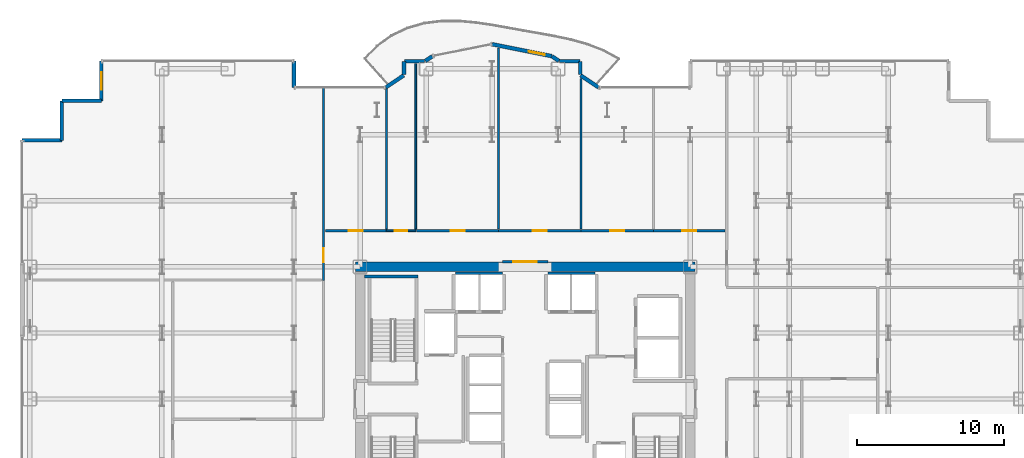
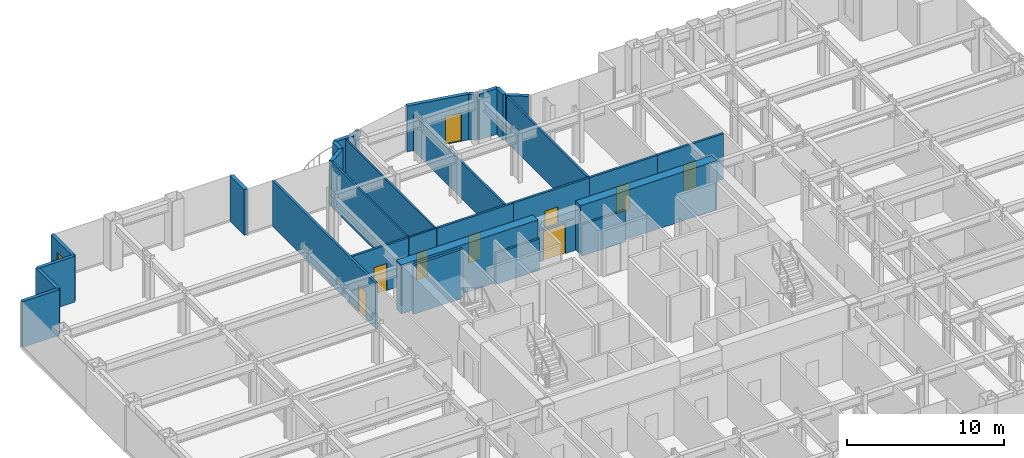
# One storey, part 26 of 29: 31 walls, 9 doors, 1 window, 10 openings.
"""IFC4 building model written with IfcOpenShell, lengths in metres."""

from ifc_helpers import new_model, si_unit, direction, frame, frame_2d, origin, place, context, subcontext, project, spatial, rectangle, extrude, source, transform, mapped, material, layer, layer_set, type_object, element, fill, save


model = new_model("IFC4")

# Units and contexts
model_context = context("Model", 3, precision=1e-05, world=origin(), true_north=direction((0.0, 1.0)))
body_context = subcontext(model_context, "Body", "Model", "MODEL_VIEW")
ifc_project = project(units=[si_unit("LENGTHUNIT", "METRE"), si_unit("AREAUNIT", "SQUARE_METRE"), si_unit("VOLUMEUNIT", "CUBIC_METRE"), si_unit("PLANEANGLEUNIT", "RADIAN"), si_unit("MASSUNIT", "GRAM", prefix="KILO")], contexts=[model_context])

# Site, building, storey
site_placement = place(None, origin())
site = spatial("IfcSite", under=ifc_project, at=site_placement, CompositionType="ELEMENT")
building_placement = place(site_placement, origin())
building = spatial("IfcBuilding", under=site, at=building_placement, Name="Nefas-Gora Pilgrimage Tower", CompositionType="ELEMENT")
storey_placement = place(building_placement, frame((0.0, 0.0, 78.60009765625)))
storey = spatial("IfcBuildingStorey", under=building, at=storey_placement, Name="L18", CompositionType="ELEMENT", Elevation=78.60009765625)

# Walls
ifc_material_1 = material(Name="Concrete C60/75", Category="concrete")
ifc_layer_1 = layer(ifc_material_1, 0.64990234375)
ifc_layer_set_1 = layer_set([ifc_layer_1], Name="Concrete C60/75")
wall_type_1 = type_object("IfcWallType", Name="SW-CORE-650", PredefinedType="SHEAR", material=ifc_layer_set_1)
shared_shape_1 = source(origin(), body_context, "Body", "SweptSolid", [
    extrude(rectangle(XDim=10.02490234375, YDim=0.64990234375, at=frame_2d((5.012451171875, 0.0))), origin(), (0.0, 0.0, 1.0), 3.7998046875),
])
for number, where, z_axis, x_axis, name in (
    (1, (-11.574951171875, 9.0, 0.0), (0.0, 0.0, 1.0), (1.0, 0.0, 0.0), "L18 Core Shear Wall N-West"),
    (2, (1.550048828125, 9.0, 0.0), (0.0, 0.0, 1.0), (1.0, 0.0, 0.0), "L18 Core Shear Wall N-East"),
):
    element("IfcWall", number, at=place(storey_placement, frame(where, z_axis=z_axis, x_axis=x_axis)), inside=storey, type_object=wall_type_1, Name=name, PredefinedType="SHEAR", context=body_context, shape_type="MappedRepresentation", body=[
        mapped(shared_shape_1, transform((0.0, 0.0, 0.0), x_axis=(1.0, 0.0, 0.0), y_axis=(0.0, 1.0, 0.0), z_axis=(0.0, 0.0, 1.0), scale=1.0)),
    ])
ifc_material_2 = material(Name="Precast concrete C40/50", Category="concrete")
ifc_layer_2 = layer(ifc_material_2, 0.260009765625)
ifc_layer_set_2 = layer_set([ifc_layer_2], Name="Precast concrete C40/50")
wall_type_2 = type_object("IfcWallType", Name="EW-PORTAL-260", PredefinedType="SOLIDWALL", material=ifc_layer_set_2)
shared_shape_2 = source(origin(), body_context, "Body", "SweptSolid", [
    extrude(rectangle(XDim=1.800048828125, YDim=0.260009765625, at=frame_2d((0.89990234375, 0.0))), origin(), (0.0, 0.0, 1.0), 3.5498046875),
])
wall_1_placement = place(storey_placement, frame((-15.75, 21.219970703125, 0.0), z_axis=(0.0, 0.0, 1.0), x_axis=(0.0, 1.0, 0.0)))
element("IfcWall", 3, at=wall_1_placement, inside=storey, type_object=wall_type_2, Name="L18 Lobe Shoulder Precast Spandrel Pier 24", PredefinedType="SOLIDWALL", context=body_context, shape_type="MappedRepresentation", body=[
    mapped(shared_shape_2, transform((0.0, 0.0, 0.0), x_axis=(1.0, 0.0, 0.0), y_axis=(0.0, 1.0, 0.0), z_axis=(0.0, 0.0, 1.0), scale=1.0)),
])

# Wall, opening, window
ifc_material_3 = material(Name="Precast concrete C45/55", Category="concrete")
ifc_layer_3 = layer(ifc_material_3, 0.239990234375)
ifc_layer_set_3 = layer_set([ifc_layer_3], Name="Precast concrete C45/55")
wall_type_3 = type_object("IfcWallType", Name="EW-SERR-240", PredefinedType="SHEAR", material=ifc_layer_set_3)
shared_shape_3 = source(origin(), body_context, "Body", "SweptSolid", [
    extrude(rectangle(XDim=2.699951171875, YDim=0.239990234375, at=frame_2d((1.35009765625, 0.0))), origin(), (0.0, 0.0, 1.0), 3.5498046875),
])
wall_2_placement = place(storey_placement, frame((-28.8701171875, 23.02001953125, 0.0), z_axis=(0.0, 0.0, 1.0), x_axis=(0.0, -1.0, 0.0)))
wall_2 = element("IfcWall", 4, at=wall_2_placement, inside=storey, type_object=wall_type_3, Name="L18 Serrated Corner Shear Pier Wall 25", PredefinedType="SHEAR", context=body_context, shape_type="MappedRepresentation", body=[
    mapped(shared_shape_3, transform((0.0, 0.0, 0.0), x_axis=(1.0, 0.0, 0.0), y_axis=(0.0, 1.0, 0.0), z_axis=(0.0, 0.0, 1.0), scale=1.0)),
])
opening_1_placement = place(wall_2_placement, frame((0.75, 0.0, 0.85009765625)))
opening_1 = element("IfcOpeningElement", 5, at=opening_1_placement, cuts=wall_2, Name="Opening W-V1", PredefinedType="OPENING", context=body_context, shape_type="SweptSolid", body=[
    extrude(rectangle(XDim=1.199951171875, YDim=1.800048828125, at=frame_2d((0.60009765625, 0.89990234375))), frame((0.0, 0.1298828125, 0.0), z_axis=(0.0, -1.0, 0.0), x_axis=(1.0, 0.0, 0.0)), (0.0, 0.0, 1.0), 0.260009765625),
])
ifc_material_4 = material(Name="Dark ceramic-fritted operable aluminium-glass window", Category="aluminium")
window_type = type_object("IfcWindowType", Name="WIN-VENT-1200x1800", PartitioningType="SINGLE_PANEL", PredefinedType="WINDOW", material=ifc_material_4)
shared_shape_4 = source(origin(), body_context, "Body", "SweptSolid", [
    extrude(rectangle(XDim=1.199951171875, YDim=1.800048828125, at=frame_2d((0.60009765625, 0.89990234375))), frame((0.0, 0.030029296875, 0.0), z_axis=(0.0, -1.0, 0.0), x_axis=(1.0, 0.0, 0.0)), (0.0, 0.0, 1.0), 0.06005859375),
])
window_placement = place(opening_1_placement, origin())
window = element("IfcWindow", 6, at=window_placement, inside=storey, type_object=window_type, Name="L18 Operable Parallel-Outswing Window 25", OverallHeight=1.800048828125, OverallWidth=1.199951171875, PartitioningType="SINGLE_PANEL", PredefinedType="WINDOW", context=body_context, shape_type="MappedRepresentation", body=[
    mapped(shared_shape_4, transform((0.0, 0.0, 0.0), x_axis=(1.0, 0.0, 0.0), y_axis=(0.0, 1.0, 0.0), z_axis=(0.0, 0.0, 1.0), scale=1.0)),
])
fill(opening_1, window)

# Walls
for number, where, z_axis, x_axis, name in (
    (7, (-28.8701171875, 20.320068359375, 0.0), (0.0, 0.0, 1.0), (-1.0, 0.0, 0.0), "L18 Serrated Corner Shear Pier Wall 26"),
    (8, (-31.570068359375, 20.320068359375, 0.0), (0.0, 0.0, 1.0), (0.0, -1.0, 0.0), "L18 Serrated Corner Shear Pier Wall 27"),
    (9, (-31.570068359375, 17.6201171875, 0.0), (0.0, 0.0, 1.0), (-1.0, 0.0, 0.0), "L18 Serrated Corner Shear Pier Wall 28"),
):
    element("IfcWall", number, at=place(storey_placement, frame(where, z_axis=z_axis, x_axis=x_axis)), inside=storey, type_object=wall_type_3, Name=name, PredefinedType="SHEAR", context=body_context, shape_type="MappedRepresentation", body=[
        mapped(shared_shape_3, transform((0.0, 0.0, 0.0), x_axis=(1.0, 0.0, 0.0), y_axis=(0.0, 1.0, 0.0), z_axis=(0.0, 0.0, 1.0), scale=1.0)),
    ])
shared_shape_5 = source(origin(), body_context, "Body", "SweptSolid", [
    extrude(rectangle(XDim=1.468994140625, YDim=0.260009765625, at=frame_2d((0.734375, 0.0))), origin(), (0.0, 0.0, 1.0), 3.5498046875),
])
for number, where, z_axis, x_axis, name in (
    (10, (4.99462890625, 21.235595703125, 0.0), (0.0, 0.0, 1.0), (-0.831461760506, 0.555581983884, 0.0), "L18 Lobe Shoulder Precast Spandrel Pier 15"),
    (11, (-8.273193359375, 22.0517578125, 0.0), (0.0, 0.0, 1.0), (-0.831461760506, -0.555581983884, 0.0), "L18 Lobe Shoulder Precast Spandrel Pier 23"),
):
    element("IfcWall", number, at=place(storey_placement, frame(where, z_axis=z_axis, x_axis=x_axis)), inside=storey, type_object=wall_type_2, Name=name, PredefinedType="SOLIDWALL", context=body_context, shape_type="MappedRepresentation", body=[
        mapped(shared_shape_5, transform((0.0, 0.0, 0.0), x_axis=(1.0, 0.0, 0.0), y_axis=(0.0, 1.0, 0.0), z_axis=(0.0, 0.0, 1.0), scale=1.0)),
    ])
shared_shape_6 = source(origin(), body_context, "Body", "SweptSolid", [
    extrude(rectangle(XDim=0.896728515625, YDim=0.260009765625, at=frame_2d((0.4482421875, 0.0))), origin(), (0.0, 0.0, 1.0), 3.5498046875),
])
for number, where, z_axis, x_axis, name in (
    (12, (3.75, 22.09521484375, 0.0), (0.0, 0.0, 1.0), (0.0, 1.0, 0.0), "L18 Lobe Shoulder Precast Spandrel Pier 16"),
    (13, (-8.25, 22.991943359375, 0.0), (0.0, 0.0, 1.0), (0.0, -1.0, 0.0), "L18 Lobe Shoulder Precast Spandrel Pier 22"),
):
    element("IfcWall", number, at=place(storey_placement, frame(where, z_axis=z_axis, x_axis=x_axis)), inside=storey, type_object=wall_type_2, Name=name, PredefinedType="SOLIDWALL", context=body_context, shape_type="MappedRepresentation", body=[
        mapped(shared_shape_6, transform((0.0, 0.0, 0.0), x_axis=(1.0, 0.0, 0.0), y_axis=(0.0, 1.0, 0.0), z_axis=(0.0, 0.0, 1.0), scale=1.0)),
    ])
shared_shape_7 = source(origin(), body_context, "Body", "SweptSolid", [
    extrude(rectangle(XDim=1.369873046875, YDim=0.260009765625, at=frame_2d((0.68505859375, 0.0))), origin(), (0.0, 0.0, 1.0), 3.5498046875),
])
for number, where, z_axis, x_axis, name in (
    (14, (3.721923828125, 23.02001953125, 0.0), (0.0, 0.0, 1.0), (-1.0, 0.0, 0.0), "L18 Lobe Shoulder Precast Spandrel Pier 17"),
    (15, (-6.85205078125, 23.02001953125, 0.0), (0.0, 0.0, 1.0), (-1.0, 0.0, 0.0), "L18 Lobe Shoulder Precast Spandrel Pier 21"),
):
    element("IfcWall", number, at=place(storey_placement, frame(where, z_axis=z_axis, x_axis=x_axis)), inside=storey, type_object=wall_type_2, Name=name, PredefinedType="SOLIDWALL", context=body_context, shape_type="MappedRepresentation", body=[
        mapped(shared_shape_7, transform((0.0, 0.0, 0.0), x_axis=(1.0, 0.0, 0.0), y_axis=(0.0, 1.0, 0.0), z_axis=(0.0, 0.0, 1.0), scale=1.0)),
    ])
shared_shape_8 = source(origin(), body_context, "Body", "SweptSolid", [
    extrude(rectangle(XDim=0.5654296875, YDim=0.260009765625, at=frame_2d((0.28271484375, 0.0))), origin(), (0.0, 0.0, 1.0), 3.5498046875),
])
for number, where, z_axis, x_axis, name in (
    (16, (2.30078125, 23.03564453125, 0.0), (0.0, 0.0, 1.0), (-0.831651492666, 0.555297933317, 0.0), "L18 Lobe Shoulder Precast Spandrel Pier 18"),
    (17, (-6.33056640625, 23.349609375, 0.0), (0.0, 0.0, 1.0), (-0.831651492666, -0.555297933317, 0.0), "L18 Lobe Shoulder Precast Spandrel Pier 20"),
):
    element("IfcWall", number, at=place(storey_placement, frame(where, z_axis=z_axis, x_axis=x_axis)), inside=storey, type_object=wall_type_2, Name=name, PredefinedType="SOLIDWALL", context=body_context, shape_type="MappedRepresentation", body=[
        mapped(shared_shape_8, transform((0.0, 0.0, 0.0), x_axis=(1.0, 0.0, 0.0), y_axis=(0.0, 1.0, 0.0), z_axis=(0.0, 0.0, 1.0), scale=1.0)),
    ])

# Wall, opening, door
shared_shape_9 = source(origin(), body_context, "Body", "SweptSolid", [
    extrude(rectangle(XDim=4.136962890625, YDim=0.260009765625, at=frame_2d((2.068359375, 0.0))), origin(), (0.0, 0.0, 1.0), 3.5498046875),
])
wall_3_placement = place(storey_placement, frame((1.807373046875, 23.365234375, 0.0), z_axis=(0.0, 0.0, 1.0), x_axis=(-0.980782170794, 0.195105954428, 0.0)))
wall_3 = element("IfcWall", 18, at=wall_3_placement, inside=storey, type_object=wall_type_2, Name="L18 Insulated Terrace Portal Wall 19", PredefinedType="SOLIDWALL", context=body_context, shape_type="MappedRepresentation", body=[
    mapped(shared_shape_9, transform((0.0, 0.0, 0.0), x_axis=(1.0, 0.0, 0.0), y_axis=(0.0, 1.0, 0.0), z_axis=(0.0, 0.0, 1.0), scale=1.0)),
])
opening_2_placement = place(wall_3_placement, frame((0.48779296875, 0.0, 0.0)))
opening_2 = element("IfcOpeningElement", 19, at=opening_2_placement, cuts=wall_3, Name="Opening ED-B1", PredefinedType="OPENING", context=body_context, shape_type="SweptSolid", body=[
    extrude(rectangle(XDim=1.10009765625, YDim=2.199951171875, at=frame_2d((0.550048828125, 1.10009765625))), frame((0.0, 0.139892578125, 0.0), z_axis=(0.0, -1.0, 0.0), x_axis=(1.0, 0.0, 0.0)), (0.0, 0.0, 1.0), 0.280029296875),
])
ifc_material_5 = material(Name="Thermally broken glazed aluminium balcony door", Category="aluminium")
door_type_1 = type_object("IfcDoorType", Name="DR-EXT-BAL-1100", OperationType="NOTDEFINED", PredefinedType="DOOR", material=ifc_material_5)
shared_shape_10 = source(origin(), body_context, "Body", "SweptSolid", [
    extrude(rectangle(XDim=1.10009765625, YDim=2.199951171875, at=frame_2d((0.550048828125, 1.10009765625))), frame((0.0, 0.02490234375, 0.0), z_axis=(0.0, -1.0, 0.0), x_axis=(1.0, 0.0, 0.0)), (0.0, 0.0, 1.0), 0.050048828125),
])
door_1_placement = place(opening_2_placement, origin())
door_1 = element("IfcDoor", 20, at=door_1_placement, inside=storey, type_object=door_type_1, Name="L18 Exterior Door (L18 N Lobe Wave Balcony)", OperationType="SINGLE_SWING_LEFT", OverallHeight=2.199951171875, OverallWidth=1.10009765625, PredefinedType="DOOR", context=body_context, shape_type="MappedRepresentation", body=[
    mapped(shared_shape_10, transform((0.0, 0.0, 0.0), x_axis=(1.0, 0.0, 0.0), y_axis=(0.0, 1.0, 0.0), z_axis=(0.0, 0.0, 1.0), scale=1.0)),
])
fill(opening_2, door_1)

# Walls
ifc_material_6 = material(Name="Concrete C45/55", Category="concrete")
ifc_layer_4 = layer(ifc_material_6, 0.199951171875)
ifc_layer_set_4 = layer_set([ifc_layer_4], Name="Concrete C45/55")
wall_type_4 = type_object("IfcWallType", Name="IW-STAIR-200", PredefinedType="SOLIDWALL", material=ifc_layer_set_4)
shared_shape_11 = source(origin(), body_context, "Body", "SweptSolid", [
    extrude(rectangle(XDim=3.6298828125, YDim=0.199951171875, at=frame_2d((1.81494140625, 0.0))), origin(), (0.0, 0.0, 1.0), 3.7998046875),
])
wall_4_placement = place(storey_placement, frame((-7.300048828125, 8.35009765625, 0.0), z_axis=(0.0, 0.0, 1.0), x_axis=(-1.0, 0.0, 0.0)))
element("IfcWall", 21, at=wall_4_placement, inside=storey, type_object=wall_type_4, Name="L18 Stairwell Shear Wall ST-01-far", PredefinedType="SOLIDWALL", context=body_context, shape_type="MappedRepresentation", body=[
    mapped(shared_shape_11, transform((0.0, 0.0, 0.0), x_axis=(1.0, 0.0, 0.0), y_axis=(0.0, 1.0, 0.0), z_axis=(0.0, 0.0, 1.0), scale=1.0)),
])
ifc_material_7 = material(Name="Gypsum acoustic stud partition")
ifc_layer_5 = layer(ifc_material_7, 0.159912109375)
ifc_layer_set_5 = layer_set([ifc_layer_5], Name="Gypsum acoustic stud partition")
wall_type_5 = type_object("IfcWallType", Name="IW-CORR-160", PredefinedType="PARTITIONING", material=ifc_layer_set_5)
shared_shape_12 = source(origin(), body_context, "Body", "SweptSolid", [
    extrude(rectangle(XDim=3.199951171875, YDim=0.159912109375, at=frame_2d((1.60009765625, 0.0))), origin(), (0.0, 0.0, 1.0), 2.4248046875),
])
for number, where, z_axis, x_axis, name in (
    (22, (-1.550048828125, 8.580078125, 0.0), (0.0, 0.0, 1.0), (-1.0, 0.0, 0.0), "L18 Hoistway Wall PL1-W-N"),
    (23, (4.75, 8.580078125, 0.0), (0.0, 0.0, 1.0), (-1.0, 0.0, 0.0), "L18 Hoistway Wall PL1-E-N"),
):
    element("IfcWall", number, at=place(storey_placement, frame(where, z_axis=z_axis, x_axis=x_axis)), inside=storey, type_object=wall_type_5, Name=name, PredefinedType="PARTITIONING", context=body_context, shape_type="MappedRepresentation", body=[
        mapped(shared_shape_12, transform((0.0, 0.0, 0.0), x_axis=(1.0, 0.0, 0.0), y_axis=(0.0, 1.0, 0.0), z_axis=(0.0, 0.0, 1.0), scale=1.0)),
    ])

# Wall, opening, door
ifc_material_8 = material(Name="Moisture-resistant fire-rated gypsum partition")
ifc_layer_6 = layer(ifc_material_8, 0.1201171875)
ifc_layer_set_6 = layer_set([ifc_layer_6], Name="Moisture-resistant fire-rated gypsum partition")
wall_type_6 = type_object("IfcWallType", Name="IW-WET-120", PredefinedType="PLUMBINGWALL", material=ifc_layer_set_6)
shared_shape_13 = source(origin(), body_context, "Body", "SweptSolid", [
    extrude(rectangle(XDim=2.02001953125, YDim=0.1201171875, at=frame_2d((1.010009765625, 0.0))), origin(), (0.0, 0.0, 1.0), 3.534912109375),
])
wall_5_placement = place(storey_placement, frame((-9.4599609375, 11.469970703125, 0.0), z_axis=(0.0, 0.0, 1.0), x_axis=(1.0, 0.0, 0.0)))
wall_5 = element("IfcWall", 24, at=wall_5_placement, inside=storey, type_object=wall_type_6, Name="L18 Accessible Unisex WC Partition Wall 24", PredefinedType="PLUMBINGWALL", context=body_context, shape_type="MappedRepresentation", body=[
    mapped(shared_shape_13, transform((0.0, 0.0, 0.0), x_axis=(1.0, 0.0, 0.0), y_axis=(0.0, 1.0, 0.0), z_axis=(0.0, 0.0, 1.0), scale=1.0)),
])
opening_3_placement = place(wall_5_placement, frame((0.5849609375, 0.0, 0.0)))
opening_3 = element("IfcOpeningElement", 25, at=opening_3_placement, cuts=wall_5, Name="Opening ID-BT1", PredefinedType="OPENING", context=body_context, shape_type="SweptSolid", body=[
    extrude(rectangle(XDim=0.85009765625, YDim=2.10009765625, at=frame_2d((0.425048828125, 1.050048828125))), frame((0.0, 0.070068359375, 0.0), z_axis=(0.0, -1.0, 0.0), x_axis=(1.0, 0.0, 0.0)), (0.0, 0.0, 1.0), 0.14013671875),
])
ifc_material_9 = material(Name="Moisture-resistant fire-rated timber door", Category="wood")
door_type_2 = type_object("IfcDoorType", Name="DR-INT-BATH-850", OperationType="NOTDEFINED", PredefinedType="DOOR", material=ifc_material_9)
shared_shape_14 = source(origin(), body_context, "Body", "SweptSolid", [
    extrude(rectangle(XDim=0.85009765625, YDim=2.10009765625, at=frame_2d((0.425048828125, 1.050048828125))), frame((0.0, 0.02490234375, 0.0), z_axis=(0.0, -1.0, 0.0), x_axis=(1.0, 0.0, 0.0)), (0.0, 0.0, 1.0), 0.050048828125),
])
door_2_placement = place(opening_3_placement, origin())
door_2 = element("IfcDoor", 26, at=door_2_placement, inside=storey, type_object=door_type_2, Name="L18 Accessible Unisex WC Door 9", OperationType="SINGLE_SWING_RIGHT", OverallHeight=2.10009765625, OverallWidth=0.85009765625, PredefinedType="DOOR", context=body_context, shape_type="MappedRepresentation", body=[
    mapped(shared_shape_14, transform((0.0, 0.0, 0.0), x_axis=(1.0, 0.0, 0.0), y_axis=(0.0, 1.0, 0.0), z_axis=(0.0, 0.0, 1.0), scale=1.0)),
])
fill(opening_3, door_2)

# Walls
shared_shape_15 = source(origin(), body_context, "Body", "SweptSolid", [
    extrude(rectangle(XDim=11.280029296875, YDim=0.1201171875, at=frame_2d((5.64013671875, 0.0))), origin(), (0.0, 0.0, 1.0), 3.534912109375),
])
wall_6_placement = place(storey_placement, frame((-7.449951171875, 11.570068359375, 0.0), z_axis=(0.0, 0.0, 1.0), x_axis=(0.0, 1.0, 0.0)))
element("IfcWall", 27, at=wall_6_placement, inside=storey, type_object=wall_type_6, Name="L18 Accessible Unisex WC Partition Wall 25", PredefinedType="PLUMBINGWALL", context=body_context, shape_type="MappedRepresentation", body=[
    mapped(shared_shape_15, transform((0.0, 0.0, 0.0), x_axis=(1.0, 0.0, 0.0), y_axis=(0.0, 1.0, 0.0), z_axis=(0.0, 0.0, 1.0), scale=1.0)),
])
shared_shape_16 = source(origin(), body_context, "Body", "SweptSolid", [
    extrude(rectangle(XDim=9.586669921875, YDim=0.1201171875, at=frame_2d((4.79345703125, 0.0))), origin(), (0.0, 0.0, 1.0), 3.534912109375),
])
wall_7_placement = place(storey_placement, frame((-9.449951171875, 11.570068359375, 0.0), z_axis=(0.0, 0.0, 1.0), x_axis=(0.0, 1.0, 0.0)))
element("IfcWall", 28, at=wall_7_placement, inside=storey, type_object=wall_type_6, Name="L18 Accessible Unisex WC Partition Wall 26", PredefinedType="PLUMBINGWALL", context=body_context, shape_type="MappedRepresentation", body=[
    mapped(shared_shape_16, transform((0.0, 0.0, 0.0), x_axis=(1.0, 0.0, 0.0), y_axis=(0.0, 1.0, 0.0), z_axis=(0.0, 0.0, 1.0), scale=1.0)),
])

# Wall, opening, door
shared_shape_17 = source(origin(), body_context, "Body", "SweptSolid", [
    extrude(rectangle(XDim=4.125, YDim=0.159912109375, at=frame_2d((2.0625, 0.0))), origin(), (0.0, 0.0, 1.0), 3.534912109375),
])
wall_8_placement = place(storey_placement, frame((-13.6201171875, 11.469970703125, 0.0), z_axis=(0.0, 0.0, 1.0), x_axis=(1.0, 0.0, 0.0)))
wall_8 = element("IfcWall", 29, at=wall_8_placement, inside=storey, type_object=wall_type_5, Name="L18 Pilgrim Contemplative Lounge Partition Wall 44", PredefinedType="PARTITIONING", context=body_context, shape_type="MappedRepresentation", body=[
    mapped(shared_shape_17, transform((0.0, 0.0, 0.0), x_axis=(1.0, 0.0, 0.0), y_axis=(0.0, 1.0, 0.0), z_axis=(0.0, 0.0, 1.0), scale=1.0)),
])
opening_4_placement = place(wall_8_placement, frame((1.58740234375, 0.0, 0.0)))
opening_4 = element("IfcOpeningElement", 30, at=opening_4_placement, cuts=wall_8, Name="Opening ID-GR1", PredefinedType="OPENING", context=body_context, shape_type="SweptSolid", body=[
    extrude(rectangle(XDim=0.949951171875, YDim=2.10009765625, at=frame_2d((0.47509765625, 1.050048828125))), frame((0.0, 0.08984375, 0.0), z_axis=(0.0, -1.0, 0.0), x_axis=(1.0, 0.0, 0.0)), (0.0, 0.0, 1.0), 0.179931640625),
])
ifc_material_10 = material(Name="Solid core oak fire-rated guest entrance door")
door_type_3 = type_object("IfcDoorType", Name="DR-INT-GUEST-950", OperationType="NOTDEFINED", PredefinedType="DOOR", material=ifc_material_10)
shared_shape_18 = source(origin(), body_context, "Body", "SweptSolid", [
    extrude(rectangle(XDim=0.949951171875, YDim=2.10009765625, at=frame_2d((0.47509765625, 1.050048828125))), frame((0.0, 0.02490234375, 0.0), z_axis=(0.0, -1.0, 0.0), x_axis=(1.0, 0.0, 0.0)), (0.0, 0.0, 1.0), 0.050048828125),
])
door_3_placement = place(opening_4_placement, origin())
door_3 = element("IfcDoor", 31, at=door_3_placement, inside=storey, type_object=door_type_3, Name="L18 Pilgrim Contemplative Lounge Door 19", OperationType="SINGLE_SWING_RIGHT", OverallHeight=2.10009765625, OverallWidth=0.949951171875, PredefinedType="DOOR", context=body_context, shape_type="MappedRepresentation", body=[
    mapped(shared_shape_18, transform((0.0, 0.0, 0.0), x_axis=(1.0, 0.0, 0.0), y_axis=(0.0, 1.0, 0.0), z_axis=(0.0, 0.0, 1.0), scale=1.0)),
])
fill(opening_4, door_3)

shared_shape_19 = source(origin(), body_context, "Body", "SweptSolid", [
    extrude(rectangle(XDim=3.08984375, YDim=0.159912109375, at=frame_2d((1.544921875, 0.0))), origin(), (0.0, 0.0, 1.0), 2.4248046875),
])
wall_9_placement = place(storey_placement, frame((-1.544921875, 9.35009765625, 0.0), z_axis=(0.0, 0.0, 1.0), x_axis=(1.0, 0.0, 0.0)))
wall_9 = element("IfcWall", 32, at=wall_9_placement, inside=storey, type_object=wall_type_5, Name="L18 Central Lift Lobby North Portal Wall 13", PredefinedType="PARTITIONING", context=body_context, shape_type="MappedRepresentation", body=[
    mapped(shared_shape_19, transform((0.0, 0.0, 0.0), x_axis=(1.0, 0.0, 0.0), y_axis=(0.0, 1.0, 0.0), z_axis=(0.0, 0.0, 1.0), scale=1.0)),
])
opening_5_placement = place(wall_9_placement, frame((0.7451171875, 0.0, 0.0)))
opening_5 = element("IfcOpeningElement", 33, at=opening_5_placement, cuts=wall_9, Name="Opening ID-HL1", PredefinedType="OPENING", context=body_context, shape_type="SweptSolid", body=[
    extrude(rectangle(XDim=1.60009765625, YDim=2.300048828125, at=frame_2d((0.800048828125, 1.14990234375))), frame((0.0, 0.08984375, 0.0), z_axis=(0.0, -1.0, 0.0), x_axis=(1.0, 0.0, 0.0)), (0.0, 0.0, 1.0), 0.179931640625),
])
ifc_material_11 = material(Name="Double acoustic timber assembly hall door", Category="wood")
door_type_4 = type_object("IfcDoorType", Name="DR-INT-HALL-1600", OperationType="DOUBLE_DOOR_SINGLE_SWING", PredefinedType="DOOR", material=ifc_material_11)
shared_shape_20 = source(origin(), body_context, "Body", "SweptSolid", [
    extrude(rectangle(XDim=1.60009765625, YDim=2.300048828125, at=frame_2d((0.800048828125, 1.14990234375))), frame((0.0, 0.02490234375, 0.0), z_axis=(0.0, -1.0, 0.0), x_axis=(1.0, 0.0, 0.0)), (0.0, 0.0, 1.0), 0.050048828125),
])
door_4_placement = place(opening_5_placement, origin())
door_4 = element("IfcDoor", 34, at=door_4_placement, inside=storey, type_object=door_type_4, Name="L18 Central Lift Lobby North Portal Door 4", OperationType="DOUBLE_DOOR_SINGLE_SWING", OverallHeight=2.300048828125, OverallWidth=1.60009765625, PredefinedType="DOOR", context=body_context, shape_type="MappedRepresentation", body=[
    mapped(shared_shape_20, transform((0.0, 0.0, 0.0), x_axis=(1.0, 0.0, 0.0), y_axis=(0.0, 1.0, 0.0), z_axis=(0.0, 0.0, 1.0), scale=1.0)),
])
fill(opening_5, door_4)

shared_shape_21 = source(origin(), body_context, "Body", "SweptSolid", [
    extrude(rectangle(XDim=13.152587890625, YDim=0.159912109375, at=frame_2d((6.576171875, 0.0))), origin(), (0.0, 0.0, 1.0), 3.534912109375),
])
wall_10_placement = place(storey_placement, frame((-13.739990234375, 8.08740234375, 0.0), z_axis=(0.0, 0.0, 1.0), x_axis=(0.0, 1.0, 0.0)))
wall_10 = element("IfcWall", 35, at=wall_10_placement, inside=storey, type_object=wall_type_5, Name="L18 Pilgrim Devotional Prayer Gallery Partition Wall 29", PredefinedType="PARTITIONING", context=body_context, shape_type="MappedRepresentation", body=[
    mapped(shared_shape_21, transform((0.0, 0.0, 0.0), x_axis=(1.0, 0.0, 0.0), y_axis=(0.0, 1.0, 0.0), z_axis=(0.0, 0.0, 1.0), scale=1.0)),
])
opening_6_placement = place(wall_10_placement, frame((1.236083984375, 0.0, 0.0)))
opening_6 = element("IfcOpeningElement", 36, at=opening_6_placement, cuts=wall_10, Name="Opening ID-GR1", PredefinedType="OPENING", context=body_context, shape_type="SweptSolid", body=[
    extrude(rectangle(XDim=0.949951171875, YDim=2.10009765625, at=frame_2d((0.47509765625, 1.050048828125))), frame((0.0, 0.08984375, 0.0), z_axis=(0.0, -1.0, 0.0), x_axis=(1.0, 0.0, 0.0)), (0.0, 0.0, 1.0), 0.179931640625),
])
door_5_placement = place(opening_6_placement, origin())
door_5 = element("IfcDoor", 37, at=door_5_placement, inside=storey, type_object=door_type_3, Name="L18 Pilgrim Devotional Prayer Gallery Door 11", OperationType="SINGLE_SWING_RIGHT", OverallHeight=2.10009765625, OverallWidth=0.949951171875, PredefinedType="DOOR", context=body_context, shape_type="MappedRepresentation", body=[
    mapped(shared_shape_18, transform((0.0, 0.0, 0.0), x_axis=(1.0, 0.0, 0.0), y_axis=(0.0, 1.0, 0.0), z_axis=(0.0, 0.0, 1.0), scale=1.0)),
])
fill(opening_6, door_5)

shared_shape_22 = source(origin(), body_context, "Body", "SweptSolid", [
    extrude(rectangle(XDim=5.60498046875, YDim=0.159912109375, at=frame_2d((2.802490234375, 0.0))), origin(), (0.0, 0.0, 1.0), 3.534912109375),
])
wall_11_placement = place(storey_placement, frame((-7.405029296875, 11.469970703125, 0.0), z_axis=(0.0, 0.0, 1.0), x_axis=(1.0, 0.0, 0.0)))
wall_11 = element("IfcWall", 38, at=wall_11_placement, inside=storey, type_object=wall_type_5, Name="L18 Pilgrim Contemplative Lounge Partition Wall 45", PredefinedType="PARTITIONING", context=body_context, shape_type="MappedRepresentation", body=[
    mapped(shared_shape_22, transform((0.0, 0.0, 0.0), x_axis=(1.0, 0.0, 0.0), y_axis=(0.0, 1.0, 0.0), z_axis=(0.0, 0.0, 1.0), scale=1.0)),
])
opening_7_placement = place(wall_11_placement, frame((2.327392578125, 0.0, 0.0)))
opening_7 = element("IfcOpeningElement", 39, at=opening_7_placement, cuts=wall_11, Name="Opening ID-GR1", PredefinedType="OPENING", context=body_context, shape_type="SweptSolid", body=[
    extrude(rectangle(XDim=0.949951171875, YDim=2.10009765625, at=frame_2d((0.47509765625, 1.050048828125))), frame((0.0, 0.08984375, 0.0), z_axis=(0.0, -1.0, 0.0), x_axis=(1.0, 0.0, 0.0)), (0.0, 0.0, 1.0), 0.179931640625),
])
door_6_placement = place(opening_7_placement, origin())
door_6 = element("IfcDoor", 40, at=door_6_placement, inside=storey, type_object=door_type_3, Name="L18 Pilgrim Contemplative Lounge Door 20", OperationType="SINGLE_SWING_LEFT", OverallHeight=2.10009765625, OverallWidth=0.949951171875, PredefinedType="DOOR", context=body_context, shape_type="MappedRepresentation", body=[
    mapped(shared_shape_18, transform((0.0, 0.0, 0.0), x_axis=(1.0, 0.0, 0.0), y_axis=(0.0, 1.0, 0.0), z_axis=(0.0, 0.0, 1.0), scale=1.0)),
])
fill(opening_7, door_6)

wall_12_placement = place(storey_placement, frame((-1.800048828125, 11.469970703125, 0.0), z_axis=(0.0, 0.0, 1.0), x_axis=(1.0, 0.0, 0.0)))
wall_12 = element("IfcWall", 41, at=wall_12_placement, inside=storey, type_object=wall_type_5, Name="L18 Pilgrim Contemplative Lounge Partition Wall 47", PredefinedType="PARTITIONING", context=body_context, shape_type="MappedRepresentation", body=[
    mapped(shared_shape_22, transform((0.0, 0.0, 0.0), x_axis=(1.0, 0.0, 0.0), y_axis=(0.0, 1.0, 0.0), z_axis=(0.0, 0.0, 1.0), scale=1.0)),
])
opening_8_placement = place(wall_12_placement, frame((2.327392578125, 0.0, 0.0)))
opening_8 = element("IfcOpeningElement", 42, at=opening_8_placement, cuts=wall_12, Name="Opening ID-GR1", PredefinedType="OPENING", context=body_context, shape_type="SweptSolid", body=[
    extrude(rectangle(XDim=0.949951171875, YDim=2.10009765625, at=frame_2d((0.47509765625, 1.050048828125))), frame((0.0, 0.08984375, 0.0), z_axis=(0.0, -1.0, 0.0), x_axis=(1.0, 0.0, 0.0)), (0.0, 0.0, 1.0), 0.179931640625),
])
door_7_placement = place(opening_8_placement, origin())
door_7 = element("IfcDoor", 43, at=door_7_placement, inside=storey, type_object=door_type_3, Name="L18 Pilgrim Contemplative Lounge Door 21", OperationType="SINGLE_SWING_RIGHT", OverallHeight=2.10009765625, OverallWidth=0.949951171875, PredefinedType="DOOR", context=body_context, shape_type="MappedRepresentation", body=[
    mapped(shared_shape_18, transform((0.0, 0.0, 0.0), x_axis=(1.0, 0.0, 0.0), y_axis=(0.0, 1.0, 0.0), z_axis=(0.0, 0.0, 1.0), scale=1.0)),
])
fill(opening_8, door_7)

# Walls
ifc_material_12 = material(Name="Gypsum twin-stud partition")
ifc_layer_7 = layer(ifc_material_12, 0.139892578125)
ifc_layer_set_7 = layer_set([ifc_layer_7], Name="Gypsum twin-stud partition")
wall_type_7 = type_object("IfcWallType", Name="IW-UNIT-140", PredefinedType="PARTITIONING", material=ifc_layer_set_7)
shared_shape_23 = source(origin(), body_context, "Body", "SweptSolid", [
    extrude(rectangle(XDim=12.32177734375, YDim=0.139892578125, at=frame_2d((6.160888671875, 0.0))), origin(), (0.0, 0.0, 1.0), 2.824951171875),
])
wall_13_placement = place(storey_placement, frame((-1.81005859375, 11.590087890625, 0.0), z_axis=(0.0, 0.0, 1.0), x_axis=(0.0, 1.0, 0.0)))
element("IfcWall", 44, at=wall_13_placement, inside=storey, type_object=wall_type_7, Name="L18 Pilgrim Contemplative Lounge Partition Wall 46", PredefinedType="PARTITIONING", context=body_context, shape_type="MappedRepresentation", body=[
    mapped(shared_shape_23, transform((0.0, 0.0, 0.0), x_axis=(1.0, 0.0, 0.0), y_axis=(0.0, 1.0, 0.0), z_axis=(0.0, 0.0, 1.0), scale=1.0)),
])
shared_shape_24 = source(origin(), body_context, "Body", "SweptSolid", [
    extrude(rectangle(XDim=10.2451171875, YDim=0.139892578125, at=frame_2d((5.12255859375, 0.0))), origin(), (0.0, 0.0, 1.0), 3.534912109375),
])
wall_14_placement = place(storey_placement, frame((3.794921875, 11.590087890625, 0.0), z_axis=(0.0, 0.0, 1.0), x_axis=(0.0, 1.0, 0.0)))
element("IfcWall", 45, at=wall_14_placement, inside=storey, type_object=wall_type_7, Name="L18 Pilgrim Contemplative Lounge Partition Wall 48", PredefinedType="PARTITIONING", context=body_context, shape_type="MappedRepresentation", body=[
    mapped(shared_shape_24, transform((0.0, 0.0, 0.0), x_axis=(1.0, 0.0, 0.0), y_axis=(0.0, 1.0, 0.0), z_axis=(0.0, 0.0, 1.0), scale=1.0)),
])

# Wall, opening, door
shared_shape_25 = source(origin(), body_context, "Body", "SweptSolid", [
    extrude(rectangle(XDim=4.965087890625, YDim=0.159912109375, at=frame_2d((2.482421875, 0.0))), origin(), (0.0, 0.0, 1.0), 3.534912109375),
])
wall_15_placement = place(storey_placement, frame((3.794921875, 11.469970703125, 0.0), z_axis=(0.0, 0.0, 1.0), x_axis=(1.0, 0.0, 0.0)))
wall_15 = element("IfcWall", 46, at=wall_15_placement, inside=storey, type_object=wall_type_5, Name="L18 Pilgrim Contemplative Lounge Partition Wall 49", PredefinedType="PARTITIONING", context=body_context, shape_type="MappedRepresentation", body=[
    mapped(shared_shape_25, transform((0.0, 0.0, 0.0), x_axis=(1.0, 0.0, 0.0), y_axis=(0.0, 1.0, 0.0), z_axis=(0.0, 0.0, 1.0), scale=1.0)),
])
opening_9_placement = place(wall_15_placement, frame((2.007568359375, 0.0, 0.0)))
opening_9 = element("IfcOpeningElement", 47, at=opening_9_placement, cuts=wall_15, Name="Opening ID-GR1", PredefinedType="OPENING", context=body_context, shape_type="SweptSolid", body=[
    extrude(rectangle(XDim=0.949951171875, YDim=2.10009765625, at=frame_2d((0.47509765625, 1.050048828125))), frame((0.0, 0.08984375, 0.0), z_axis=(0.0, -1.0, 0.0), x_axis=(1.0, 0.0, 0.0)), (0.0, 0.0, 1.0), 0.179931640625),
])
door_8_placement = place(opening_9_placement, origin())
door_8 = element("IfcDoor", 48, at=door_8_placement, inside=storey, type_object=door_type_3, Name="L18 Pilgrim Contemplative Lounge Door 22", OperationType="SINGLE_SWING_LEFT", OverallHeight=2.10009765625, OverallWidth=0.949951171875, PredefinedType="DOOR", context=body_context, shape_type="MappedRepresentation", body=[
    mapped(shared_shape_18, transform((0.0, 0.0, 0.0), x_axis=(1.0, 0.0, 0.0), y_axis=(0.0, 1.0, 0.0), z_axis=(0.0, 0.0, 1.0), scale=1.0)),
])
fill(opening_9, door_8)

shared_shape_26 = source(origin(), body_context, "Body", "SweptSolid", [
    extrude(rectangle(XDim=4.860107421875, YDim=0.159912109375, at=frame_2d((2.43017578125, 0.0))), origin(), (0.0, 0.0, 1.0), 3.534912109375),
])
wall_16_placement = place(storey_placement, frame((8.760009765625, 11.469970703125, 0.0), z_axis=(0.0, 0.0, 1.0), x_axis=(1.0, 0.0, 0.0)))
wall_16 = element("IfcWall", 49, at=wall_16_placement, inside=storey, type_object=wall_type_5, Name="L18 Pilgrim Contemplative Lounge Partition Wall 51", PredefinedType="PARTITIONING", context=body_context, shape_type="MappedRepresentation", body=[
    mapped(shared_shape_26, transform((0.0, 0.0, 0.0), x_axis=(1.0, 0.0, 0.0), y_axis=(0.0, 1.0, 0.0), z_axis=(0.0, 0.0, 1.0), scale=1.0)),
])
opening_10_placement = place(wall_16_placement, frame((1.955078125, 0.0, 0.0)))
opening_10 = element("IfcOpeningElement", 50, at=opening_10_placement, cuts=wall_16, Name="Opening ID-GR1", PredefinedType="OPENING", context=body_context, shape_type="SweptSolid", body=[
    extrude(rectangle(XDim=0.949951171875, YDim=2.10009765625, at=frame_2d((0.47509765625, 1.050048828125))), frame((0.0, 0.08984375, 0.0), z_axis=(0.0, -1.0, 0.0), x_axis=(1.0, 0.0, 0.0)), (0.0, 0.0, 1.0), 0.179931640625),
])
door_9_placement = place(opening_10_placement, origin())
door_9 = element("IfcDoor", 51, at=door_9_placement, inside=storey, type_object=door_type_3, Name="L18 Pilgrim Contemplative Lounge Door 23", OperationType="SINGLE_SWING_RIGHT", OverallHeight=2.10009765625, OverallWidth=0.949951171875, PredefinedType="DOOR", context=body_context, shape_type="MappedRepresentation", body=[
    mapped(shared_shape_18, transform((0.0, 0.0, 0.0), x_axis=(1.0, 0.0, 0.0), y_axis=(0.0, 1.0, 0.0), z_axis=(0.0, 0.0, 1.0), scale=1.0)),
])
fill(opening_10, door_9)

save(model, "model.ifc")
